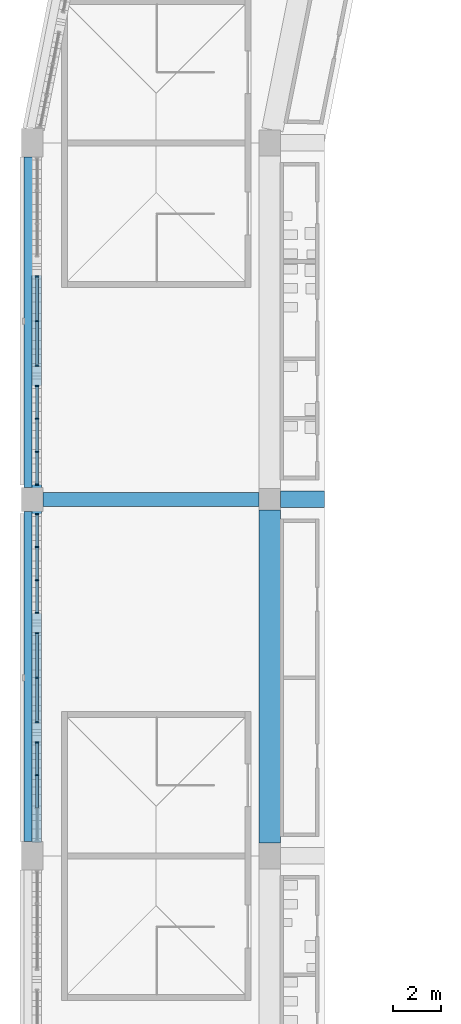
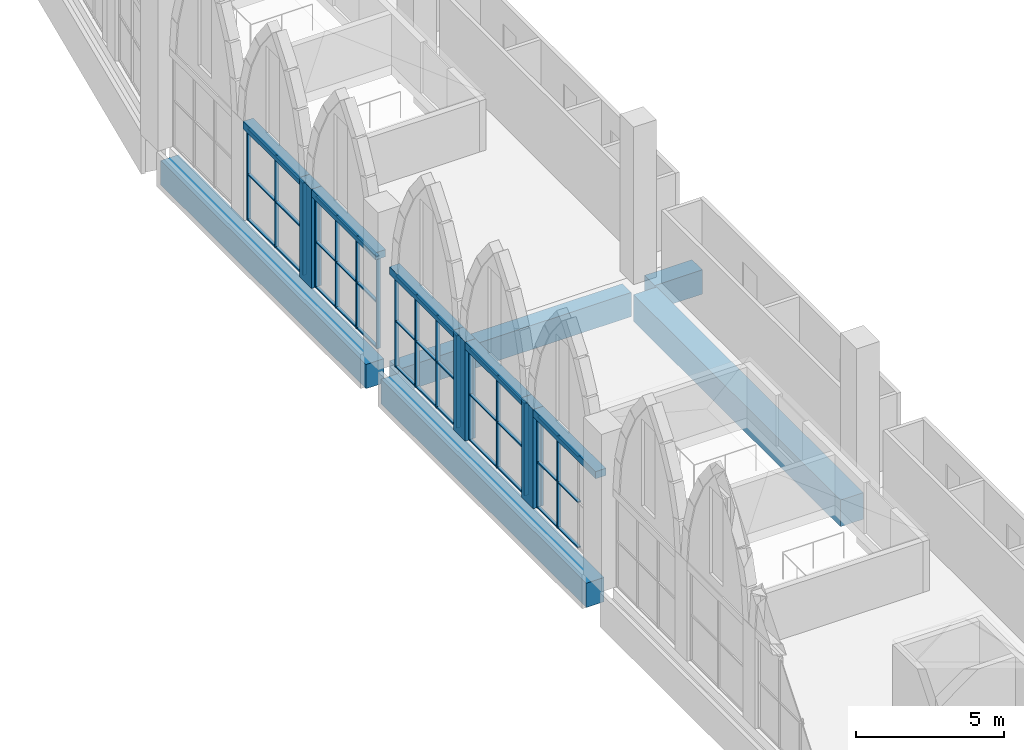
# One storey, part 29 of 130: 55 members, 10 beams, 5 elements without a shape of their own.
"""IFC4 building model written with IfcOpenShell, lengths in metres."""

from ifc_helpers import new_model, si_unit, direction, frame, origin, origin_2d, place, context, subcontext, project, spatial, rectangle, extrude, material, material_profile, profile_set, type_object, element, aggregate, save


model = new_model("IFC4")

# Units and contexts
model_context = context("Model", 3, precision=1e-05, world=origin(), true_north=direction((0.0, 1.0)))
body_context = subcontext(model_context, "Body", "Model", "MODEL_VIEW")
ifc_project = project(units=[si_unit("LENGTHUNIT", "METRE"), si_unit("AREAUNIT", "SQUARE_METRE"), si_unit("VOLUMEUNIT", "CUBIC_METRE"), si_unit("PLANEANGLEUNIT", "RADIAN"), si_unit("MASSUNIT", "GRAM", prefix="KILO")], contexts=[model_context])

# Site, building, storey
site_placement = place(None, origin())
site = spatial("IfcSite", under=ifc_project, at=site_placement, CompositionType="ELEMENT")
building_placement = place(site_placement, origin())
building = spatial("IfcBuilding", under=site, at=building_placement, Name="Ogive Plaza Stadium", CompositionType="ELEMENT")
storey_placement = place(building_placement, frame((0.0, 0.0, 22.5)))
storey = spatial("IfcBuildingStorey", under=building, at=storey_placement, Name="L05", CompositionType="ELEMENT", Elevation=22.5)

# Curtain wall, members
ifc_material_1 = material(Name="Bronze-anodised aluminium with laminated glass", Category="aluminium")
curtain_wall_type = type_object("IfcCurtainWallType", Name="Lancet curtain wall", PredefinedType="NOTDEFINED", material=ifc_material_1)
curtain_wall_1_placement = place(storey_placement, origin())
curtain_wall_1 = element("IfcCurtainWall", 1, at=curtain_wall_1_placement, inside=storey, type_object=curtain_wall_type, Name="CURTAIN WALL B26 L05", PredefinedType="NOTDEFINED")
ifc_material_2 = material(Name="Bronze-anodised aluminium", Category="aluminium")
ifc_material_profile_1 = material_profile(ifc_material_2, rectangle(XDim=0.14990234375, YDim=0.050048828125, at=origin_2d()), Name="AL 150x50")
ifc_profile_set_1 = profile_set([ifc_material_profile_1], Name="Bronze-anodised aluminium")
member_type_1 = type_object("IfcMemberType", Name="Curtain wall mullion 50x150", PredefinedType="MULLION", material=ifc_profile_set_1)
member_1_placement = place(storey_placement, frame((-83.800048828125, 25.89990234375, 0.0), z_axis=(0.0, 0.0, 1.0), x_axis=(-1.0, 0.0, 0.0)))
member_1 = element("IfcMember", 2, at=member_1_placement, type_object=member_type_1, Name="CW-B26-L05.1 mullion 3", PredefinedType="MULLION", context=body_context, shape_type="SweptSolid", body=[
    extrude(rectangle(XDim=0.14990234375, YDim=0.050048828125, at=origin_2d()), origin(), (0.0, 0.0, 1.0), 3.800048828125),
])
member_2_placement = place(storey_placement, frame((-83.800048828125, 27.27490234375, 0.0), z_axis=(0.0, 0.0, 1.0), x_axis=(-1.0, 0.0, 0.0)))
member_2 = element("IfcMember", 3, at=member_2_placement, type_object=member_type_1, Name="CW-B26-L05.1 mullion 4", PredefinedType="MULLION", context=body_context, shape_type="SweptSolid", body=[
    extrude(rectangle(XDim=0.14990234375, YDim=0.050048828125, at=origin_2d()), origin(), (0.0, 0.0, 1.0), 3.800048828125),
])

curtain_wall_2_placement = place(storey_placement, origin())
curtain_wall_2 = element("IfcCurtainWall", 4, at=curtain_wall_2_placement, inside=storey, type_object=curtain_wall_type, Name="CURTAIN WALL B26 L05", PredefinedType="NOTDEFINED")
member_3_placement = place(storey_placement, frame((-83.800048828125, 28.125, 0.0), z_axis=(0.0, 0.0, 1.0), x_axis=(-1.0, 0.0, 0.0)))
member_3 = element("IfcMember", 5, at=member_3_placement, type_object=member_type_1, Name="CW-B26-L05.2 mullion 1", PredefinedType="MULLION", context=body_context, shape_type="SweptSolid", body=[
    extrude(rectangle(XDim=0.14990234375, YDim=0.050048828125, at=origin_2d()), origin(), (0.0, 0.0, 1.0), 3.800048828125),
])
member_4_placement = place(storey_placement, frame((-83.800048828125, 30.0, 0.0), z_axis=(0.0, 0.0, 1.0), x_axis=(-1.0, 0.0, 0.0)))
member_4 = element("IfcMember", 6, at=member_4_placement, type_object=member_type_1, Name="CW-B26-L05.2 mullion 2", PredefinedType="MULLION", context=body_context, shape_type="SweptSolid", body=[
    extrude(rectangle(XDim=0.14990234375, YDim=0.050048828125, at=origin_2d()), origin(), (0.0, 0.0, 1.0), 3.800048828125),
])
member_5_placement = place(storey_placement, frame((-83.800048828125, 31.875, 0.0), z_axis=(0.0, 0.0, 1.0), x_axis=(-1.0, 0.0, 0.0)))
member_5 = element("IfcMember", 7, at=member_5_placement, type_object=member_type_1, Name="CW-B26-L05.2 mullion 3", PredefinedType="MULLION", context=body_context, shape_type="SweptSolid", body=[
    extrude(rectangle(XDim=0.14990234375, YDim=0.050048828125, at=origin_2d()), origin(), (0.0, 0.0, 1.0), 3.800048828125),
])

curtain_wall_3_placement = place(storey_placement, origin())
curtain_wall_3 = element("IfcCurtainWall", 8, at=curtain_wall_3_placement, inside=storey, type_object=curtain_wall_type, Name="CURTAIN WALL B26 L05", PredefinedType="NOTDEFINED")
member_6_placement = place(storey_placement, frame((-83.800048828125, 32.72509765625, 0.0), z_axis=(0.0, 0.0, 1.0), x_axis=(-1.0, 0.0, 0.0)))
member_6 = element("IfcMember", 9, at=member_6_placement, type_object=member_type_1, Name="CW-B26-L05.3 mullion 1", PredefinedType="MULLION", context=body_context, shape_type="SweptSolid", body=[
    extrude(rectangle(XDim=0.14990234375, YDim=0.050048828125, at=origin_2d()), origin(), (0.0, 0.0, 1.0), 3.800048828125),
])
member_7_placement = place(storey_placement, frame((-83.800048828125, 34.10009765625, 0.0), z_axis=(0.0, 0.0, 1.0), x_axis=(-1.0, 0.0, 0.0)))
member_7 = element("IfcMember", 10, at=member_7_placement, type_object=member_type_1, Name="CW-B26-L05.3 mullion 2", PredefinedType="MULLION", context=body_context, shape_type="SweptSolid", body=[
    extrude(rectangle(XDim=0.14990234375, YDim=0.050048828125, at=origin_2d()), origin(), (0.0, 0.0, 1.0), 3.800048828125),
])
member_8_placement = place(storey_placement, frame((-83.800048828125, 35.5, 0.0), z_axis=(0.0, 0.0, 1.0), x_axis=(-1.0, 0.0, 0.0)))
member_8 = element("IfcMember", 11, at=member_8_placement, type_object=member_type_1, Name="CW-B26-L05.3 mullion 3", PredefinedType="MULLION", context=body_context, shape_type="SweptSolid", body=[
    extrude(rectangle(XDim=0.14990234375, YDim=0.050048828125, at=origin_2d()), origin(), (0.0, 0.0, 1.0), 3.800048828125),
])
member_9_placement = place(storey_placement, frame((-83.800048828125, 36.875, 0.0), z_axis=(0.0, 0.0, 1.0), x_axis=(-1.0, 0.0, 0.0)))
member_9 = element("IfcMember", 12, at=member_9_placement, type_object=member_type_1, Name="CW-B26-L05.3 mullion 4", PredefinedType="MULLION", context=body_context, shape_type="SweptSolid", body=[
    extrude(rectangle(XDim=0.14990234375, YDim=0.050048828125, at=origin_2d()), origin(), (0.0, 0.0, 1.0), 3.800048828125),
])

curtain_wall_4_placement = place(storey_placement, origin())
curtain_wall_4 = element("IfcCurtainWall", 13, at=curtain_wall_4_placement, inside=storey, type_object=curtain_wall_type, Name="CURTAIN WALL B27 L05", PredefinedType="NOTDEFINED")
member_10_placement = place(storey_placement, frame((-83.800048828125, 38.125, 0.0), z_axis=(0.0, 0.0, 1.0), x_axis=(-1.0, 0.0, 0.0)))
member_10 = element("IfcMember", 14, at=member_10_placement, type_object=member_type_1, Name="CW-B27-L05.1 mullion 1", PredefinedType="MULLION", context=body_context, shape_type="SweptSolid", body=[
    extrude(rectangle(XDim=0.14990234375, YDim=0.050048828125, at=origin_2d()), origin(), (0.0, 0.0, 1.0), 3.800048828125),
])
member_11_placement = place(storey_placement, frame((-83.800048828125, 39.5, 0.0), z_axis=(0.0, 0.0, 1.0), x_axis=(-1.0, 0.0, 0.0)))
member_11 = element("IfcMember", 15, at=member_11_placement, type_object=member_type_1, Name="CW-B27-L05.1 mullion 2", PredefinedType="MULLION", context=body_context, shape_type="SweptSolid", body=[
    extrude(rectangle(XDim=0.14990234375, YDim=0.050048828125, at=origin_2d()), origin(), (0.0, 0.0, 1.0), 3.800048828125),
])
member_12_placement = place(storey_placement, frame((-83.800048828125, 40.89990234375, 0.0), z_axis=(0.0, 0.0, 1.0), x_axis=(-1.0, 0.0, 0.0)))
member_12 = element("IfcMember", 16, at=member_12_placement, type_object=member_type_1, Name="CW-B27-L05.1 mullion 3", PredefinedType="MULLION", context=body_context, shape_type="SweptSolid", body=[
    extrude(rectangle(XDim=0.14990234375, YDim=0.050048828125, at=origin_2d()), origin(), (0.0, 0.0, 1.0), 3.800048828125),
])
member_13_placement = place(storey_placement, frame((-83.800048828125, 42.27490234375, 0.0), z_axis=(0.0, 0.0, 1.0), x_axis=(-1.0, 0.0, 0.0)))
member_13 = element("IfcMember", 17, at=member_13_placement, type_object=member_type_1, Name="CW-B27-L05.1 mullion 4", PredefinedType="MULLION", context=body_context, shape_type="SweptSolid", body=[
    extrude(rectangle(XDim=0.14990234375, YDim=0.050048828125, at=origin_2d()), origin(), (0.0, 0.0, 1.0), 3.800048828125),
])

curtain_wall_5_placement = place(storey_placement, origin())
curtain_wall_5 = element("IfcCurtainWall", 18, at=curtain_wall_5_placement, inside=storey, type_object=curtain_wall_type, Name="CURTAIN WALL B27 L05", PredefinedType="NOTDEFINED")
member_14_placement = place(storey_placement, frame((-83.800048828125, 43.125, 0.0), z_axis=(0.0, 0.0, 1.0), x_axis=(-1.0, 0.0, 0.0)))
member_14 = element("IfcMember", 19, at=member_14_placement, type_object=member_type_1, Name="CW-B27-L05.2 mullion 1", PredefinedType="MULLION", context=body_context, shape_type="SweptSolid", body=[
    extrude(rectangle(XDim=0.14990234375, YDim=0.050048828125, at=origin_2d()), origin(), (0.0, 0.0, 1.0), 3.800048828125),
])
member_15_placement = place(storey_placement, frame((-83.800048828125, 45.0, 0.0), z_axis=(0.0, 0.0, 1.0), x_axis=(-1.0, 0.0, 0.0)))
member_15 = element("IfcMember", 20, at=member_15_placement, type_object=member_type_1, Name="CW-B27-L05.2 mullion 2", PredefinedType="MULLION", context=body_context, shape_type="SweptSolid", body=[
    extrude(rectangle(XDim=0.14990234375, YDim=0.050048828125, at=origin_2d()), origin(), (0.0, 0.0, 1.0), 3.800048828125),
])
member_16_placement = place(storey_placement, frame((-83.800048828125, 46.875, 0.0), z_axis=(0.0, 0.0, 1.0), x_axis=(-1.0, 0.0, 0.0)))
member_16 = element("IfcMember", 21, at=member_16_placement, type_object=member_type_1, Name="CW-B27-L05.2 mullion 3", PredefinedType="MULLION", context=body_context, shape_type="SweptSolid", body=[
    extrude(rectangle(XDim=0.14990234375, YDim=0.050048828125, at=origin_2d()), origin(), (0.0, 0.0, 1.0), 3.800048828125),
])

# Member
ifc_material_3 = material(Name="Bronze-anodised aluminium", Category="aluminium")
ifc_material_profile_2 = material_profile(ifc_material_3, rectangle(XDim=0.1201171875, YDim=0.050048828125, at=origin_2d()), Name="AL 120x50")
ifc_profile_set_2 = profile_set([ifc_material_profile_2], Name="Bronze-anodised aluminium")
member_type_2 = type_object("IfcMemberType", Name="Curtain wall transom 50x120", PredefinedType="USERDEFINED", material=ifc_profile_set_2)
member_17_placement = place(storey_placement, frame((-83.800048828125, 24.52490234375, 0.02490234375), z_axis=(0.0, 1.0, 0.0), x_axis=(-1.0, 0.0, 0.0)))
member_17 = element("IfcMember", 22, at=member_17_placement, type_object=member_type_2, Name="CW-B26-L05.1 transom 2.1", ObjectType="TRANSOM", PredefinedType="USERDEFINED", context=body_context, shape_type="SweptSolid", body=[
    extrude(rectangle(XDim=0.1201171875, YDim=0.050048828125, at=origin_2d()), origin(), (0.0, 0.0, 1.0), 1.35009765625),
])

member_18_placement = place(storey_placement, frame((-83.800048828125, 24.52490234375, 1.89990234375), z_axis=(0.0, 1.0, 0.0), x_axis=(-1.0, 0.0, 0.0)))
member_18 = element("IfcMember", 23, at=member_18_placement, type_object=member_type_2, Name="CW-B26-L05.1 transom 2.2", ObjectType="TRANSOM", PredefinedType="USERDEFINED", context=body_context, shape_type="SweptSolid", body=[
    extrude(rectangle(XDim=0.1201171875, YDim=0.050048828125, at=origin_2d()), origin(), (0.0, 0.0, 1.0), 1.35009765625),
])

member_19_placement = place(storey_placement, frame((-83.800048828125, 24.52490234375, 3.77490234375), z_axis=(0.0, 1.0, 0.0), x_axis=(-1.0, 0.0, 0.0)))
member_19 = element("IfcMember", 24, at=member_19_placement, type_object=member_type_2, Name="CW-B26-L05.1 transom 2.3", ObjectType="TRANSOM", PredefinedType="USERDEFINED", context=body_context, shape_type="SweptSolid", body=[
    extrude(rectangle(XDim=0.1201171875, YDim=0.050048828125, at=origin_2d()), origin(), (0.0, 0.0, 1.0), 1.35009765625),
])

member_20_placement = place(storey_placement, frame((-83.800048828125, 25.925048828125, 0.02490234375), z_axis=(0.0, 1.0, 0.0), x_axis=(-1.0, 0.0, 0.0)))
member_20 = element("IfcMember", 25, at=member_20_placement, type_object=member_type_2, Name="CW-B26-L05.1 transom 3.1", ObjectType="TRANSOM", PredefinedType="USERDEFINED", context=body_context, shape_type="SweptSolid", body=[
    extrude(rectangle(XDim=0.1201171875, YDim=0.050048828125, at=origin_2d()), origin(), (0.0, 0.0, 1.0), 1.324951171875),
])

member_21_placement = place(storey_placement, frame((-83.800048828125, 25.925048828125, 1.89990234375), z_axis=(0.0, 1.0, 0.0), x_axis=(-1.0, 0.0, 0.0)))
member_21 = element("IfcMember", 26, at=member_21_placement, type_object=member_type_2, Name="CW-B26-L05.1 transom 3.2", ObjectType="TRANSOM", PredefinedType="USERDEFINED", context=body_context, shape_type="SweptSolid", body=[
    extrude(rectangle(XDim=0.1201171875, YDim=0.050048828125, at=origin_2d()), origin(), (0.0, 0.0, 1.0), 1.324951171875),
])

member_22_placement = place(storey_placement, frame((-83.800048828125, 25.925048828125, 3.77490234375), z_axis=(0.0, 1.0, 0.0), x_axis=(-1.0, 0.0, 0.0)))
member_22 = element("IfcMember", 27, at=member_22_placement, type_object=member_type_2, Name="CW-B26-L05.1 transom 3.3", ObjectType="TRANSOM", PredefinedType="USERDEFINED", context=body_context, shape_type="SweptSolid", body=[
    extrude(rectangle(XDim=0.1201171875, YDim=0.050048828125, at=origin_2d()), origin(), (0.0, 0.0, 1.0), 1.324951171875),
])

aggregate(curtain_wall_1, [member_1, member_2, member_17, member_18, member_19, member_20, member_21, member_22])

member_23_placement = place(storey_placement, frame((-83.800048828125, 28.14990234375, 0.02490234375), z_axis=(0.0, 1.0, 0.0), x_axis=(-1.0, 0.0, 0.0)))
member_23 = element("IfcMember", 28, at=member_23_placement, type_object=member_type_2, Name="CW-B26-L05.2 transom 1.1", ObjectType="TRANSOM", PredefinedType="USERDEFINED", context=body_context, shape_type="SweptSolid", body=[
    extrude(rectangle(XDim=0.1201171875, YDim=0.050048828125, at=origin_2d()), origin(), (0.0, 0.0, 1.0), 1.8251953125),
])

member_24_placement = place(storey_placement, frame((-83.800048828125, 28.14990234375, 1.89990234375), z_axis=(0.0, 1.0, 0.0), x_axis=(-1.0, 0.0, 0.0)))
member_24 = element("IfcMember", 29, at=member_24_placement, type_object=member_type_2, Name="CW-B26-L05.2 transom 1.2", ObjectType="TRANSOM", PredefinedType="USERDEFINED", context=body_context, shape_type="SweptSolid", body=[
    extrude(rectangle(XDim=0.1201171875, YDim=0.050048828125, at=origin_2d()), origin(), (0.0, 0.0, 1.0), 1.8251953125),
])

member_25_placement = place(storey_placement, frame((-83.800048828125, 28.14990234375, 3.77490234375), z_axis=(0.0, 1.0, 0.0), x_axis=(-1.0, 0.0, 0.0)))
member_25 = element("IfcMember", 30, at=member_25_placement, type_object=member_type_2, Name="CW-B26-L05.2 transom 1.3", ObjectType="TRANSOM", PredefinedType="USERDEFINED", context=body_context, shape_type="SweptSolid", body=[
    extrude(rectangle(XDim=0.1201171875, YDim=0.050048828125, at=origin_2d()), origin(), (0.0, 0.0, 1.0), 1.8251953125),
])

member_26_placement = place(storey_placement, frame((-83.800048828125, 30.02490234375, 0.02490234375), z_axis=(0.0, 1.0, 0.0), x_axis=(-1.0, 0.0, 0.0)))
member_26 = element("IfcMember", 31, at=member_26_placement, type_object=member_type_2, Name="CW-B26-L05.2 transom 2.1", ObjectType="TRANSOM", PredefinedType="USERDEFINED", context=body_context, shape_type="SweptSolid", body=[
    extrude(rectangle(XDim=0.1201171875, YDim=0.050048828125, at=origin_2d()), origin(), (0.0, 0.0, 1.0), 1.8251953125),
])

member_27_placement = place(storey_placement, frame((-83.800048828125, 30.02490234375, 1.89990234375), z_axis=(0.0, 1.0, 0.0), x_axis=(-1.0, 0.0, 0.0)))
member_27 = element("IfcMember", 32, at=member_27_placement, type_object=member_type_2, Name="CW-B26-L05.2 transom 2.2", ObjectType="TRANSOM", PredefinedType="USERDEFINED", context=body_context, shape_type="SweptSolid", body=[
    extrude(rectangle(XDim=0.1201171875, YDim=0.050048828125, at=origin_2d()), origin(), (0.0, 0.0, 1.0), 1.8251953125),
])

member_28_placement = place(storey_placement, frame((-83.800048828125, 30.02490234375, 3.77490234375), z_axis=(0.0, 1.0, 0.0), x_axis=(-1.0, 0.0, 0.0)))
member_28 = element("IfcMember", 33, at=member_28_placement, type_object=member_type_2, Name="CW-B26-L05.2 transom 2.3", ObjectType="TRANSOM", PredefinedType="USERDEFINED", context=body_context, shape_type="SweptSolid", body=[
    extrude(rectangle(XDim=0.1201171875, YDim=0.050048828125, at=origin_2d()), origin(), (0.0, 0.0, 1.0), 1.8251953125),
])

aggregate(curtain_wall_2, [member_3, member_4, member_5, member_23, member_24, member_25, member_26, member_27, member_28])

member_29_placement = place(storey_placement, frame((-83.800048828125, 32.75, 0.02490234375), z_axis=(0.0, 1.0, 0.0), x_axis=(-1.0, 0.0, 0.0)))
member_29 = element("IfcMember", 34, at=member_29_placement, type_object=member_type_2, Name="CW-B26-L05.3 transom 1.1", ObjectType="TRANSOM", PredefinedType="USERDEFINED", context=body_context, shape_type="SweptSolid", body=[
    extrude(rectangle(XDim=0.1201171875, YDim=0.050048828125, at=origin_2d()), origin(), (0.0, 0.0, 1.0), 1.324951171875),
])

member_30_placement = place(storey_placement, frame((-83.800048828125, 32.75, 1.89990234375), z_axis=(0.0, 1.0, 0.0), x_axis=(-1.0, 0.0, 0.0)))
member_30 = element("IfcMember", 35, at=member_30_placement, type_object=member_type_2, Name="CW-B26-L05.3 transom 1.2", ObjectType="TRANSOM", PredefinedType="USERDEFINED", context=body_context, shape_type="SweptSolid", body=[
    extrude(rectangle(XDim=0.1201171875, YDim=0.050048828125, at=origin_2d()), origin(), (0.0, 0.0, 1.0), 1.324951171875),
])

member_31_placement = place(storey_placement, frame((-83.800048828125, 32.75, 3.77490234375), z_axis=(0.0, 1.0, 0.0), x_axis=(-1.0, 0.0, 0.0)))
member_31 = element("IfcMember", 36, at=member_31_placement, type_object=member_type_2, Name="CW-B26-L05.3 transom 1.3", ObjectType="TRANSOM", PredefinedType="USERDEFINED", context=body_context, shape_type="SweptSolid", body=[
    extrude(rectangle(XDim=0.1201171875, YDim=0.050048828125, at=origin_2d()), origin(), (0.0, 0.0, 1.0), 1.324951171875),
])

member_32_placement = place(storey_placement, frame((-83.800048828125, 34.125, 0.02490234375), z_axis=(0.0, 1.0, 0.0), x_axis=(-1.0, 0.0, 0.0)))
member_32 = element("IfcMember", 37, at=member_32_placement, type_object=member_type_2, Name="CW-B26-L05.3 transom 2.1", ObjectType="TRANSOM", PredefinedType="USERDEFINED", context=body_context, shape_type="SweptSolid", body=[
    extrude(rectangle(XDim=0.1201171875, YDim=0.050048828125, at=origin_2d()), origin(), (0.0, 0.0, 1.0), 1.35009765625),
])

member_33_placement = place(storey_placement, frame((-83.800048828125, 34.125, 1.89990234375), z_axis=(0.0, 1.0, 0.0), x_axis=(-1.0, 0.0, 0.0)))
member_33 = element("IfcMember", 38, at=member_33_placement, type_object=member_type_2, Name="CW-B26-L05.3 transom 2.2", ObjectType="TRANSOM", PredefinedType="USERDEFINED", context=body_context, shape_type="SweptSolid", body=[
    extrude(rectangle(XDim=0.1201171875, YDim=0.050048828125, at=origin_2d()), origin(), (0.0, 0.0, 1.0), 1.35009765625),
])

member_34_placement = place(storey_placement, frame((-83.800048828125, 34.125, 3.77490234375), z_axis=(0.0, 1.0, 0.0), x_axis=(-1.0, 0.0, 0.0)))
member_34 = element("IfcMember", 39, at=member_34_placement, type_object=member_type_2, Name="CW-B26-L05.3 transom 2.3", ObjectType="TRANSOM", PredefinedType="USERDEFINED", context=body_context, shape_type="SweptSolid", body=[
    extrude(rectangle(XDim=0.1201171875, YDim=0.050048828125, at=origin_2d()), origin(), (0.0, 0.0, 1.0), 1.35009765625),
])

member_35_placement = place(storey_placement, frame((-83.800048828125, 35.52490234375, 0.02490234375), z_axis=(0.0, 1.0, 0.0), x_axis=(-1.0, 0.0, 0.0)))
member_35 = element("IfcMember", 40, at=member_35_placement, type_object=member_type_2, Name="CW-B26-L05.3 transom 3.1", ObjectType="TRANSOM", PredefinedType="USERDEFINED", context=body_context, shape_type="SweptSolid", body=[
    extrude(rectangle(XDim=0.1201171875, YDim=0.050048828125, at=origin_2d()), origin(), (0.0, 0.0, 1.0), 1.3251953125),
])

member_36_placement = place(storey_placement, frame((-83.800048828125, 35.52490234375, 1.89990234375), z_axis=(0.0, 1.0, 0.0), x_axis=(-1.0, 0.0, 0.0)))
member_36 = element("IfcMember", 41, at=member_36_placement, type_object=member_type_2, Name="CW-B26-L05.3 transom 3.2", ObjectType="TRANSOM", PredefinedType="USERDEFINED", context=body_context, shape_type="SweptSolid", body=[
    extrude(rectangle(XDim=0.1201171875, YDim=0.050048828125, at=origin_2d()), origin(), (0.0, 0.0, 1.0), 1.3251953125),
])

member_37_placement = place(storey_placement, frame((-83.800048828125, 35.52490234375, 3.77490234375), z_axis=(0.0, 1.0, 0.0), x_axis=(-1.0, 0.0, 0.0)))
member_37 = element("IfcMember", 42, at=member_37_placement, type_object=member_type_2, Name="CW-B26-L05.3 transom 3.3", ObjectType="TRANSOM", PredefinedType="USERDEFINED", context=body_context, shape_type="SweptSolid", body=[
    extrude(rectangle(XDim=0.1201171875, YDim=0.050048828125, at=origin_2d()), origin(), (0.0, 0.0, 1.0), 1.3251953125),
])

aggregate(curtain_wall_3, [member_6, member_7, member_8, member_9, member_29, member_30, member_31, member_32, member_33, member_34, member_35, member_36, member_37])

member_38_placement = place(storey_placement, frame((-83.800048828125, 38.14990234375, 0.02490234375), z_axis=(0.0, 1.0, 0.0), x_axis=(-1.0, 0.0, 0.0)))
member_38 = element("IfcMember", 43, at=member_38_placement, type_object=member_type_2, Name="CW-B27-L05.1 transom 1.1", ObjectType="TRANSOM", PredefinedType="USERDEFINED", context=body_context, shape_type="SweptSolid", body=[
    extrude(rectangle(XDim=0.1201171875, YDim=0.050048828125, at=origin_2d()), origin(), (0.0, 0.0, 1.0), 1.3251953125),
])

member_39_placement = place(storey_placement, frame((-83.800048828125, 38.14990234375, 1.89990234375), z_axis=(0.0, 1.0, 0.0), x_axis=(-1.0, 0.0, 0.0)))
member_39 = element("IfcMember", 44, at=member_39_placement, type_object=member_type_2, Name="CW-B27-L05.1 transom 1.2", ObjectType="TRANSOM", PredefinedType="USERDEFINED", context=body_context, shape_type="SweptSolid", body=[
    extrude(rectangle(XDim=0.1201171875, YDim=0.050048828125, at=origin_2d()), origin(), (0.0, 0.0, 1.0), 1.3251953125),
])

member_40_placement = place(storey_placement, frame((-83.800048828125, 38.14990234375, 3.77490234375), z_axis=(0.0, 1.0, 0.0), x_axis=(-1.0, 0.0, 0.0)))
member_40 = element("IfcMember", 45, at=member_40_placement, type_object=member_type_2, Name="CW-B27-L05.1 transom 1.3", ObjectType="TRANSOM", PredefinedType="USERDEFINED", context=body_context, shape_type="SweptSolid", body=[
    extrude(rectangle(XDim=0.1201171875, YDim=0.050048828125, at=origin_2d()), origin(), (0.0, 0.0, 1.0), 1.3251953125),
])

member_41_placement = place(storey_placement, frame((-83.800048828125, 39.52490234375, 0.02490234375), z_axis=(0.0, 1.0, 0.0), x_axis=(-1.0, 0.0, 0.0)))
member_41 = element("IfcMember", 46, at=member_41_placement, type_object=member_type_2, Name="CW-B27-L05.1 transom 2.1", ObjectType="TRANSOM", PredefinedType="USERDEFINED", context=body_context, shape_type="SweptSolid", body=[
    extrude(rectangle(XDim=0.1201171875, YDim=0.050048828125, at=origin_2d()), origin(), (0.0, 0.0, 1.0), 1.35009765625),
])

member_42_placement = place(storey_placement, frame((-83.800048828125, 39.52490234375, 1.89990234375), z_axis=(0.0, 1.0, 0.0), x_axis=(-1.0, 0.0, 0.0)))
member_42 = element("IfcMember", 47, at=member_42_placement, type_object=member_type_2, Name="CW-B27-L05.1 transom 2.2", ObjectType="TRANSOM", PredefinedType="USERDEFINED", context=body_context, shape_type="SweptSolid", body=[
    extrude(rectangle(XDim=0.1201171875, YDim=0.050048828125, at=origin_2d()), origin(), (0.0, 0.0, 1.0), 1.35009765625),
])

member_43_placement = place(storey_placement, frame((-83.800048828125, 39.52490234375, 3.77490234375), z_axis=(0.0, 1.0, 0.0), x_axis=(-1.0, 0.0, 0.0)))
member_43 = element("IfcMember", 48, at=member_43_placement, type_object=member_type_2, Name="CW-B27-L05.1 transom 2.3", ObjectType="TRANSOM", PredefinedType="USERDEFINED", context=body_context, shape_type="SweptSolid", body=[
    extrude(rectangle(XDim=0.1201171875, YDim=0.050048828125, at=origin_2d()), origin(), (0.0, 0.0, 1.0), 1.35009765625),
])

member_44_placement = place(storey_placement, frame((-83.800048828125, 40.925048828125, 0.02490234375), z_axis=(0.0, 1.0, 0.0), x_axis=(-1.0, 0.0, 0.0)))
member_44 = element("IfcMember", 49, at=member_44_placement, type_object=member_type_2, Name="CW-B27-L05.1 transom 3.1", ObjectType="TRANSOM", PredefinedType="USERDEFINED", context=body_context, shape_type="SweptSolid", body=[
    extrude(rectangle(XDim=0.1201171875, YDim=0.050048828125, at=origin_2d()), origin(), (0.0, 0.0, 1.0), 1.324951171875),
])

member_45_placement = place(storey_placement, frame((-83.800048828125, 40.925048828125, 1.89990234375), z_axis=(0.0, 1.0, 0.0), x_axis=(-1.0, 0.0, 0.0)))
member_45 = element("IfcMember", 50, at=member_45_placement, type_object=member_type_2, Name="CW-B27-L05.1 transom 3.2", ObjectType="TRANSOM", PredefinedType="USERDEFINED", context=body_context, shape_type="SweptSolid", body=[
    extrude(rectangle(XDim=0.1201171875, YDim=0.050048828125, at=origin_2d()), origin(), (0.0, 0.0, 1.0), 1.324951171875),
])

member_46_placement = place(storey_placement, frame((-83.800048828125, 40.925048828125, 3.77490234375), z_axis=(0.0, 1.0, 0.0), x_axis=(-1.0, 0.0, 0.0)))
member_46 = element("IfcMember", 51, at=member_46_placement, type_object=member_type_2, Name="CW-B27-L05.1 transom 3.3", ObjectType="TRANSOM", PredefinedType="USERDEFINED", context=body_context, shape_type="SweptSolid", body=[
    extrude(rectangle(XDim=0.1201171875, YDim=0.050048828125, at=origin_2d()), origin(), (0.0, 0.0, 1.0), 1.324951171875),
])

aggregate(curtain_wall_4, [member_10, member_11, member_12, member_13, member_38, member_39, member_40, member_41, member_42, member_43, member_44, member_45, member_46])

member_47_placement = place(storey_placement, frame((-83.800048828125, 43.14990234375, 0.02490234375), z_axis=(0.0, 1.0, 0.0), x_axis=(-1.0, 0.0, 0.0)))
member_47 = element("IfcMember", 52, at=member_47_placement, type_object=member_type_2, Name="CW-B27-L05.2 transom 1.1", ObjectType="TRANSOM", PredefinedType="USERDEFINED", context=body_context, shape_type="SweptSolid", body=[
    extrude(rectangle(XDim=0.1201171875, YDim=0.050048828125, at=origin_2d()), origin(), (0.0, 0.0, 1.0), 1.8251953125),
])

member_48_placement = place(storey_placement, frame((-83.800048828125, 43.14990234375, 1.89990234375), z_axis=(0.0, 1.0, 0.0), x_axis=(-1.0, 0.0, 0.0)))
member_48 = element("IfcMember", 53, at=member_48_placement, type_object=member_type_2, Name="CW-B27-L05.2 transom 1.2", ObjectType="TRANSOM", PredefinedType="USERDEFINED", context=body_context, shape_type="SweptSolid", body=[
    extrude(rectangle(XDim=0.1201171875, YDim=0.050048828125, at=origin_2d()), origin(), (0.0, 0.0, 1.0), 1.8251953125),
])

member_49_placement = place(storey_placement, frame((-83.800048828125, 43.14990234375, 3.77490234375), z_axis=(0.0, 1.0, 0.0), x_axis=(-1.0, 0.0, 0.0)))
member_49 = element("IfcMember", 54, at=member_49_placement, type_object=member_type_2, Name="CW-B27-L05.2 transom 1.3", ObjectType="TRANSOM", PredefinedType="USERDEFINED", context=body_context, shape_type="SweptSolid", body=[
    extrude(rectangle(XDim=0.1201171875, YDim=0.050048828125, at=origin_2d()), origin(), (0.0, 0.0, 1.0), 1.8251953125),
])

member_50_placement = place(storey_placement, frame((-83.800048828125, 45.02490234375, 0.02490234375), z_axis=(0.0, 1.0, 0.0), x_axis=(-1.0, 0.0, 0.0)))
member_50 = element("IfcMember", 55, at=member_50_placement, type_object=member_type_2, Name="CW-B27-L05.2 transom 2.1", ObjectType="TRANSOM", PredefinedType="USERDEFINED", context=body_context, shape_type="SweptSolid", body=[
    extrude(rectangle(XDim=0.1201171875, YDim=0.050048828125, at=origin_2d()), origin(), (0.0, 0.0, 1.0), 1.8251953125),
])

member_51_placement = place(storey_placement, frame((-83.800048828125, 45.02490234375, 1.89990234375), z_axis=(0.0, 1.0, 0.0), x_axis=(-1.0, 0.0, 0.0)))
member_51 = element("IfcMember", 56, at=member_51_placement, type_object=member_type_2, Name="CW-B27-L05.2 transom 2.2", ObjectType="TRANSOM", PredefinedType="USERDEFINED", context=body_context, shape_type="SweptSolid", body=[
    extrude(rectangle(XDim=0.1201171875, YDim=0.050048828125, at=origin_2d()), origin(), (0.0, 0.0, 1.0), 1.8251953125),
])

member_52_placement = place(storey_placement, frame((-83.800048828125, 45.02490234375, 3.77490234375), z_axis=(0.0, 1.0, 0.0), x_axis=(-1.0, 0.0, 0.0)))
member_52 = element("IfcMember", 57, at=member_52_placement, type_object=member_type_2, Name="CW-B27-L05.2 transom 2.3", ObjectType="TRANSOM", PredefinedType="USERDEFINED", context=body_context, shape_type="SweptSolid", body=[
    extrude(rectangle(XDim=0.1201171875, YDim=0.050048828125, at=origin_2d()), origin(), (0.0, 0.0, 1.0), 1.8251953125),
])

aggregate(curtain_wall_5, [member_14, member_15, member_16, member_47, member_48, member_49, member_50, member_51, member_52])

# Members
ifc_material_4 = material(Name="Concrete C45/55 precast", Category="concrete")
ifc_material_profile_3 = material_profile(ifc_material_4, rectangle(XDim=0.39990234375, YDim=0.800048828125, at=origin_2d()), Name="RC 400x800")
ifc_profile_set_3 = profile_set([ifc_material_profile_3], Name="Concrete C45/55 precast")
member_type_3 = type_object("IfcMemberType", Name="Precast colonette 800x400", PredefinedType="POST", material=ifc_profile_set_3)
for number, where, z_axis, x_axis, name in (
    (58, (-83.800048828125, 27.699951171875, 0.0), (0.0, 0.0, 1.0), (-1.0, 0.0, 0.0), "COLONETTE B26 1"),
    (59, (-83.800048828125, 32.300048828125, 0.0), (0.0, 0.0, 1.0), (-1.0, 0.0, 0.0), "COLONETTE B26 2"),
    (60, (-83.800048828125, 42.699951171875, 0.0), (0.0, 0.0, 1.0), (-1.0, 0.0, 0.0), "COLONETTE B27 1"),
):
    element("IfcMember", number, at=place(storey_placement, frame(where, z_axis=z_axis, x_axis=x_axis)), inside=storey, type_object=member_type_3, Name=name, PredefinedType="POST", context=body_context, shape_type="SweptSolid", body=[
        extrude(rectangle(XDim=0.39990234375, YDim=0.800048828125, at=origin_2d()), origin(), (0.0, 0.0, 1.0), 4.10009765625),
    ])

# Beams
ifc_material_5 = material(Name="Concrete C45/55 precast", Category="concrete")
ifc_material_profile_4 = material_profile(ifc_material_5, rectangle(XDim=0.39990234375, YDim=0.300048828125, at=origin_2d()), Name="RC 400x300")
ifc_profile_set_4 = profile_set([ifc_material_profile_4], Name="Concrete C45/55 precast")
beam_type_1 = type_object("IfcBeamType", Name="Precast tympanum lintel 400x300", PredefinedType="BEAM", material=ifc_profile_set_4)
beam_1_placement = place(storey_placement, frame((-83.800048828125, 23.070068359375, 3.949951171875), z_axis=(0.0, 1.0, 0.0), x_axis=(-1.0, 0.0, 0.0)))
element("IfcBeam", 61, at=beam_1_placement, inside=storey, type_object=beam_type_1, Name="TYMPANUM LINTEL B26 1", PredefinedType="BEAM", context=body_context, shape_type="SweptSolid", body=[
    extrude(rectangle(XDim=0.39990234375, YDim=0.300048828125, at=origin_2d()), origin(), (0.0, 0.0, 1.0), 4.260009765625),
])
beam_2_placement = place(storey_placement, frame((-83.800048828125, 28.070068359375, 3.949951171875), z_axis=(0.0, 1.0, 0.0), x_axis=(-1.0, 0.0, 0.0)))
element("IfcBeam", 62, at=beam_2_placement, inside=storey, type_object=beam_type_1, Name="TYMPANUM LINTEL B26 2", PredefinedType="BEAM", context=body_context, shape_type="SweptSolid", body=[
    extrude(rectangle(XDim=0.39990234375, YDim=0.300048828125, at=origin_2d()), origin(), (0.0, 0.0, 1.0), 3.85986328125),
])
for number, where, z_axis, x_axis, name in (
    (63, (-83.800048828125, 32.669921875, 3.949951171875), (0.0, 1.0, 0.0), (-1.0, 0.0, 0.0), "TYMPANUM LINTEL B26 3"),
    (64, (-83.800048828125, 37.969970703125, 3.949951171875), (0.0, 1.0, 0.0), (-1.0, 0.0, 0.0), "TYMPANUM LINTEL B27 1"),
):
    element("IfcBeam", number, at=place(storey_placement, frame(where, z_axis=z_axis, x_axis=x_axis)), inside=storey, type_object=beam_type_1, Name=name, PredefinedType="BEAM", context=body_context, shape_type="SweptSolid", body=[
        extrude(rectangle(XDim=0.39990234375, YDim=0.300048828125, at=origin_2d()), origin(), (0.0, 0.0, 1.0), 4.360107421875),
    ])
beam_3_placement = place(storey_placement, frame((-83.800048828125, 43.070068359375, 3.949951171875), z_axis=(0.0, 1.0, 0.0), x_axis=(-1.0, 0.0, 0.0)))
element("IfcBeam", 65, at=beam_3_placement, inside=storey, type_object=beam_type_1, Name="TYMPANUM LINTEL B27 2", PredefinedType="BEAM", context=body_context, shape_type="SweptSolid", body=[
    extrude(rectangle(XDim=0.39990234375, YDim=0.300048828125, at=origin_2d()), origin(), (0.0, 0.0, 1.0), 3.85986328125),
])
ifc_material_6 = material(Name="Concrete C40/50", Category="concrete")
ifc_material_profile_5 = material_profile(ifc_material_6, rectangle(XDim=0.60009765625, YDim=1.0, at=origin_2d()), Name="RC 600x1000")
ifc_profile_set_5 = profile_set([ifc_material_profile_5], Name="Concrete C40/50")
beam_type_2 = type_object("IfcBeamType", Name="RC radial beam 600x1000", PredefinedType="BEAM", material=ifc_profile_set_5)
beam_4_placement = place(storey_placement, frame((-74.449951171875, 37.5, -0.909912109375), z_axis=(-1.0, 0.0, 0.0), x_axis=(0.0, -1.0, 0.0)))
element("IfcBeam", 66, at=beam_4_placement, inside=storey, type_object=beam_type_2, Name="Radial beam L05 R27 F4F5", PredefinedType="BEAM", context=body_context, shape_type="SweptSolid", body=[
    extrude(rectangle(XDim=0.60009765625, YDim=1.0, at=origin_2d()), origin(), (0.0, 0.0, 1.0), 9.10009765625),
])
ifc_material_7 = material(Name="Concrete C40/50", Category="concrete")
ifc_material_profile_6 = material_profile(ifc_material_7, rectangle(XDim=0.699951171875, YDim=1.0, at=origin_2d()), Name="RC 700x1000")
ifc_profile_set_6 = profile_set([ifc_material_profile_6], Name="Concrete C40/50")
beam_type_3 = type_object("IfcBeamType", Name="RC radial beam 700x1000", PredefinedType="BEAM", material=ifc_profile_set_6)
beam_5_placement = place(storey_placement, frame((-71.699951171875, 37.5, -0.909912109375), z_axis=(-1.0, 0.0, 0.0), x_axis=(0.0, -1.0, 0.0)))
element("IfcBeam", 67, at=beam_5_placement, inside=storey, type_object=beam_type_3, Name="Raker tail beam UT R27", PredefinedType="BEAM", context=body_context, shape_type="SweptSolid", body=[
    extrude(rectangle(XDim=0.699951171875, YDim=1.0, at=origin_2d()), origin(), (0.0, 0.0, 1.0), 1.85009765625),
])
ifc_material_8 = material(Name="Concrete C40/50", Category="concrete")
ifc_material_profile_7 = material_profile(ifc_material_8, rectangle(XDim=0.89990234375, YDim=1.10009765625, at=origin_2d()), Name="RC 900x1100")
ifc_profile_set_7 = profile_set([ifc_material_profile_7], Name="Concrete C40/50")
beam_type_4 = type_object("IfcBeamType", Name="RC ring beam 900x1100", PredefinedType="BEAM", material=ifc_profile_set_7)
beam_6_placement = place(storey_placement, frame((-74.0, 23.050048828125, -0.9599609375), z_axis=(0.0, 1.0, 0.0), x_axis=(-1.0, 0.0, 0.0)))
element("IfcBeam", 68, at=beam_6_placement, inside=storey, type_object=beam_type_4, Name="Ring beam F4 L05 B26", PredefinedType="BEAM", context=body_context, shape_type="SweptSolid", body=[
    extrude(rectangle(XDim=0.89990234375, YDim=1.10009765625, at=origin_2d()), origin(), (0.0, 0.0, 1.0), 14.0),
])
ifc_material_9 = material(Name="Concrete C40/50", Category="concrete")
ifc_material_profile_8 = material_profile(ifc_material_9, rectangle(XDim=0.699951171875, YDim=1.0, at=origin_2d()), Name="RC 700x1000")
ifc_profile_set_8 = profile_set([ifc_material_profile_8], Name="Concrete C40/50")
beam_type_5 = type_object("IfcBeamType", Name="RC spandrel beam 700x1000", PredefinedType="SPANDREL", material=ifc_profile_set_8)
for number, where, z_axis, x_axis, name in (
    (69, (-84.0, 23.10009765625, -0.909912109375), (0.0, 1.0, 0.0), (-1.0, 0.0, 0.0), "Ring beam F5 L05 B26"),
    (70, (-84.0, 38.0, -0.909912109375), (0.0, 1.0, 0.0), (-1.0, 0.0, 0.0), "Ring beam F5 L05 B27"),
):
    element("IfcBeam", number, at=place(storey_placement, frame(where, z_axis=z_axis, x_axis=x_axis)), inside=storey, type_object=beam_type_5, Name=name, PredefinedType="SPANDREL", context=body_context, shape_type="SweptSolid", body=[
        extrude(rectangle(XDim=0.699951171875, YDim=1.0, at=origin_2d()), origin(), (0.0, 0.0, 1.0), 13.89990234375),
    ])

save(model, "model.ifc")
